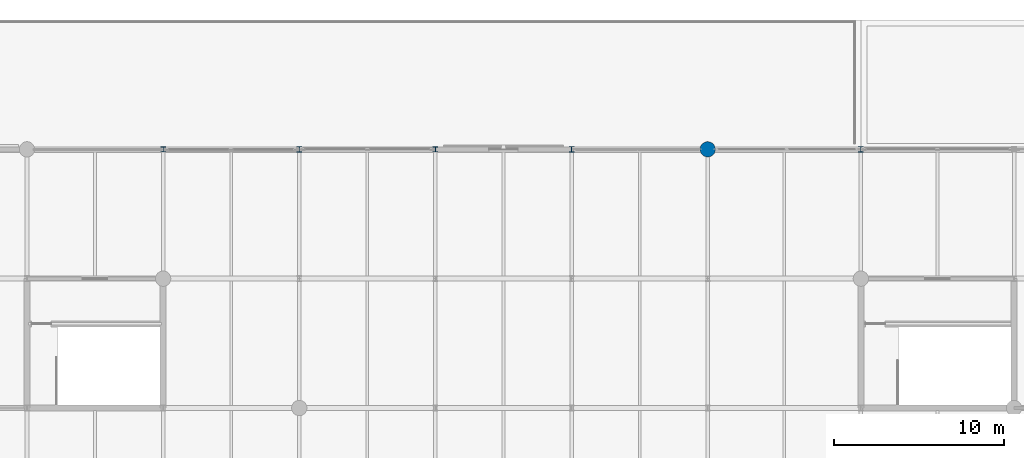
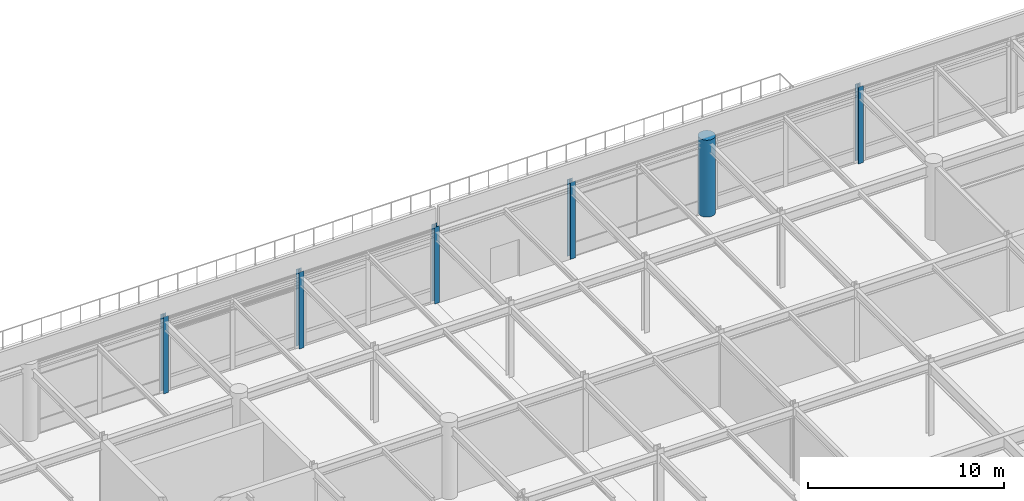
# One storey, part 10 of 43: 6 columns.
"""IFC4 building model written with IfcOpenShell, lengths in metres."""

from ifc_helpers import new_model, si_unit, direction, frame, origin, origin_2d, place, context, subcontext, project, spatial, circle, i_section, extrude, material, material_profile, profile_set, type_object, element, save


model = new_model("IFC4")

# Units and contexts
model_context = context("Model", 3, precision=1e-05, world=origin(), true_north=direction((0.0, 1.0)))
body_context = subcontext(model_context, "Body", "Model", "MODEL_VIEW")
ifc_project = project(units=[si_unit("LENGTHUNIT", "METRE"), si_unit("AREAUNIT", "SQUARE_METRE"), si_unit("VOLUMEUNIT", "CUBIC_METRE"), si_unit("PLANEANGLEUNIT", "RADIAN"), si_unit("MASSUNIT", "GRAM", prefix="KILO")], contexts=[model_context])

# Site, building, storey
site_placement = place(None, origin())
site = spatial("IfcSite", under=ifc_project, at=site_placement, CompositionType="ELEMENT")
building_placement = place(site_placement, origin())
building = spatial("IfcBuilding", under=site, at=building_placement, Name="Shalkamar Park Central Library", CompositionType="ELEMENT")
storey_placement = place(building_placement, frame((0.0, 0.0, 15.60009765625)))
storey = spatial("IfcBuildingStorey", under=building, at=storey_placement, Name="L04", CompositionType="ELEMENT", Elevation=15.60009765625)

# Columns
ifc_material_1 = material(Name="Concrete C40/50", Category="concrete")
ifc_material_profile_1 = material_profile(ifc_material_1, circle(Radius=0.449951171875, at=origin_2d()), Name="RC D900")
ifc_profile_set_1 = profile_set([ifc_material_profile_1], Name="Concrete C40/50")
column_type_1 = type_object("IfcColumnType", Name="Column Concrete RCD900", PredefinedType="COLUMN", material=ifc_profile_set_1)
column_placement = place(storey_placement, frame((237.0, 316.0, 0.0), z_axis=(0.0, 0.0, 1.0), x_axis=(1.0, 0.0, 0.0)))
element("IfcColumn", 1, at=column_placement, inside=storey, type_object=column_type_1, Name="Column 16/L (L04)", PredefinedType="COLUMN", context=body_context, shape_type="SweptSolid", body=[
    extrude(circle(Radius=0.449951171875, at=origin_2d()), origin(), (0.0, 0.0, 1.0), 4.7998046875),
])
ifc_material_2 = material(Name="Steel S355", Category="steel")
ifc_material_profile_2 = material_profile(ifc_material_2, i_section(OverallWidth=0.300048828125, OverallDepth=0.300048828125, WebThickness=0.010986328125, FlangeThickness=0.01904296875, FilletRadius=0.027099609375, at=origin_2d()), Name="HEB 300")
ifc_profile_set_2 = profile_set([ifc_material_profile_2], Name="Steel S355")
column_type_2 = type_object("IfcColumnType", Name="Column Steel HEB300", PredefinedType="COLUMN", material=ifc_profile_set_2)
for number, where, z_axis, x_axis, name in (
    (2, (205.0, 316.0, 0.0), (0.0, 0.0, 1.0), (1.0, 0.0, 0.0), "Column 12/L (L04)"),
    (3, (221.0, 316.0, 0.0), (0.0, 0.0, 1.0), (1.0, 0.0, 0.0), "Column 14/L (L04)"),
):
    element("IfcColumn", number, at=place(storey_placement, frame(where, z_axis=z_axis, x_axis=x_axis)), inside=storey, type_object=column_type_2, Name=name, PredefinedType="COLUMN", context=body_context, shape_type="SweptSolid", body=[
        extrude(i_section(OverallWidth=0.300048828125, OverallDepth=0.300048828125, WebThickness=0.010986328125, FlangeThickness=0.01904296875, FilletRadius=0.027099609375, at=origin_2d()), origin(), (0.0, 0.0, 1.0), 4.7998046875),
    ])
ifc_material_profile_3 = material_profile(ifc_material_2, i_section(OverallWidth=0.300048828125, OverallDepth=0.320068359375, WebThickness=0.011474609375, FlangeThickness=0.0205078125, FilletRadius=0.027099609375, at=origin_2d()), Name="HEB 320")
ifc_profile_set_3 = profile_set([ifc_material_profile_3], Name="Steel S355")
column_type_3 = type_object("IfcColumnType", Name="Column Steel HEB320", PredefinedType="COLUMN", material=ifc_profile_set_3)
for number, where, z_axis, x_axis, name in (
    (4, (213.0, 316.0, 0.0), (0.0, 0.0, 1.0), (1.0, 0.0, 0.0), "Column 13/L (L04)"),
    (5, (229.0, 316.0, 0.0), (0.0, 0.0, 1.0), (1.0, 0.0, 0.0), "Column 15/L (L04)"),
    (6, (246.0, 316.0, 0.0), (0.0, 0.0, 1.0), (1.0, 0.0, 0.0), "Column 17/L (L04)"),
):
    element("IfcColumn", number, at=place(storey_placement, frame(where, z_axis=z_axis, x_axis=x_axis)), inside=storey, type_object=column_type_3, Name=name, PredefinedType="COLUMN", context=body_context, shape_type="SweptSolid", body=[
        extrude(i_section(OverallWidth=0.300048828125, OverallDepth=0.320068359375, WebThickness=0.011474609375, FlangeThickness=0.0205078125, FilletRadius=0.027099609375, at=origin_2d()), origin(), (0.0, 0.0, 1.0), 4.7998046875),
    ])

save(model, "model.ifc")
